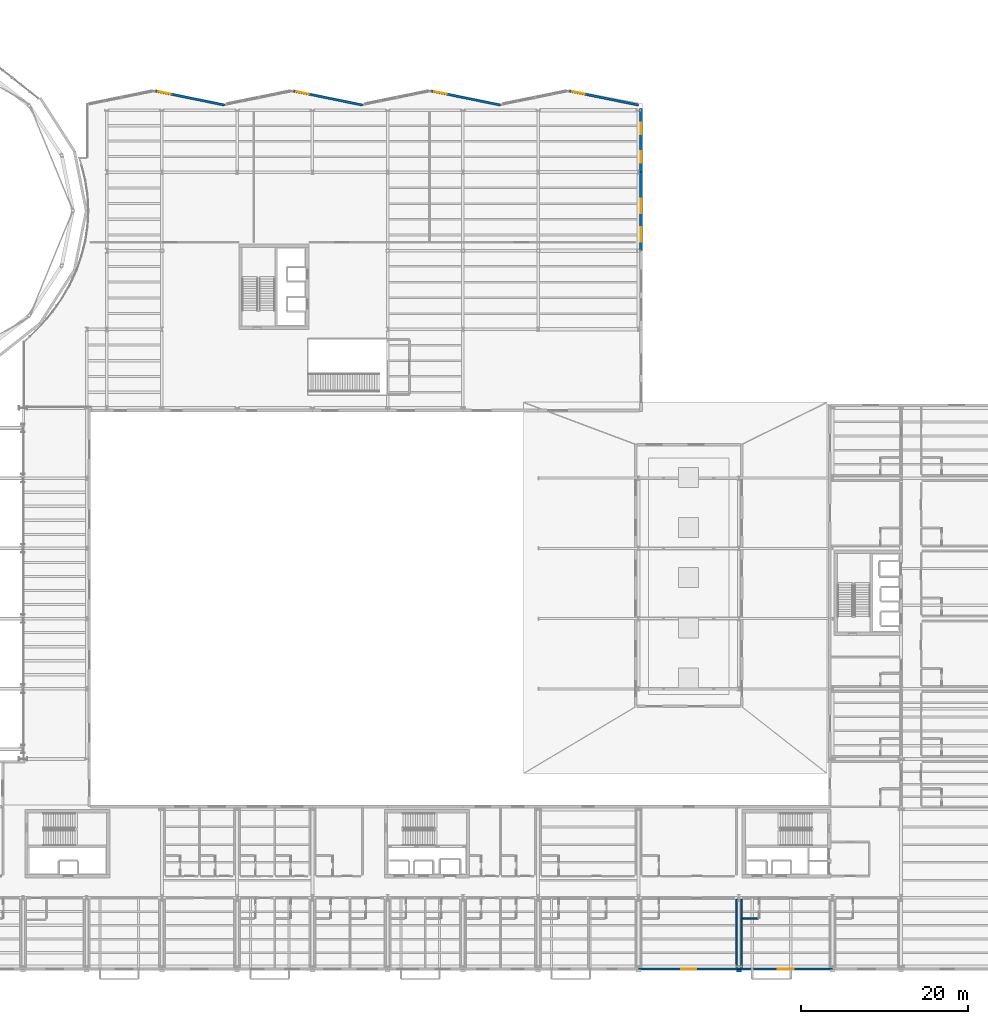
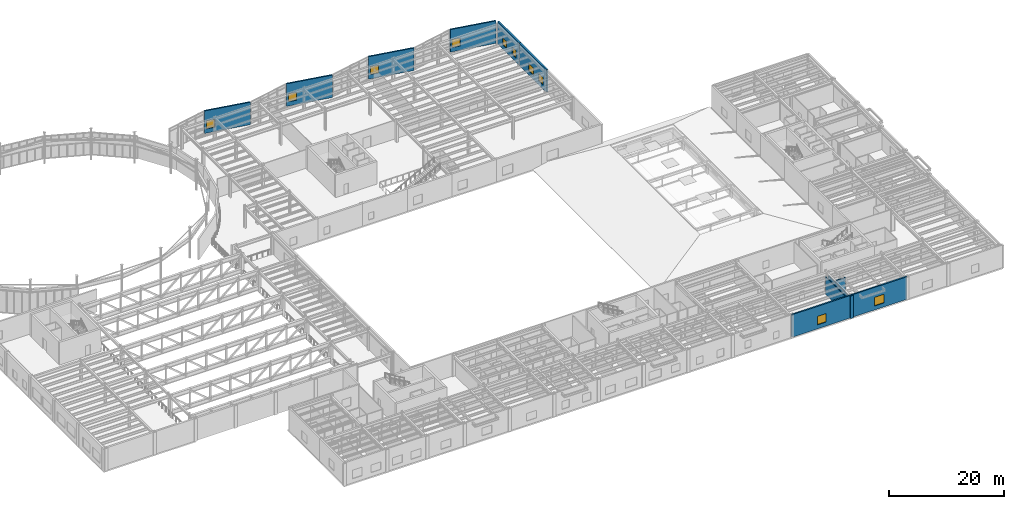
# One storey, part 76 of 91: 12 walls, 10 windows, 10 openings.
"""IFC4 building model written with IfcOpenShell, lengths in metres."""

from ifc_helpers import new_model, si_unit, direction, frame, frame_2d, origin, place, context, subcontext, project, spatial, rectangle, extrude, material, layer, layer_set, type_object, element, fill, save


model = new_model("IFC4")

# Units and contexts
model_context = context("Model", 3, precision=1e-05, world=origin(), true_north=direction((0.0, 1.0)))
body_context = subcontext(model_context, "Body", "Model", "MODEL_VIEW")
ifc_project = project(units=[si_unit("LENGTHUNIT", "METRE"), si_unit("AREAUNIT", "SQUARE_METRE"), si_unit("VOLUMEUNIT", "CUBIC_METRE"), si_unit("PLANEANGLEUNIT", "RADIAN"), si_unit("MASSUNIT", "GRAM", prefix="KILO")], contexts=[model_context])

# Site, building, storey
site_placement = place(None, origin())
site = spatial("IfcSite", under=ifc_project, at=site_placement, CompositionType="ELEMENT")
building_placement = place(site_placement, origin())
building = spatial("IfcBuilding", under=site, at=building_placement, Name="Sollismere Congress Hotel", CompositionType="ELEMENT")
storey_placement = place(building_placement, frame((0.0, 0.0, 10.800048828125)))
storey = spatial("IfcBuildingStorey", under=building, at=storey_placement, Name="L02", CompositionType="ELEMENT", Elevation=10.800048828125)

# Wall, opening, window
ifc_material_1 = material(Name="Colorado Buff Sandstone Rainscreen on Insulated Backup", Category="masonry")
ifc_layer_1 = layer(ifc_material_1, 0.284912109375, Name="Colorado Buff Sandstone Rainscreen on Insulated Backup")
ifc_layer_set_1 = layer_set([ifc_layer_1], Name="Colorado Buff Sandstone Rainscreen on Insulated Backup")
wall_type_1 = type_object("IfcWallType", Name="WL-EXT285", PredefinedType="STANDARD", material=ifc_layer_set_1)
wall_1_placement = place(storey_placement, frame((66.25, 104.698486328125, 0.0), z_axis=(0.0, 0.0, 1.0), x_axis=(0.979925045119, -0.199366260807, 0.0)))
wall_1 = element("IfcWall", 1, at=wall_1_placement, inside=storey, type_object=wall_type_1, Name="Exterior wall EW-L02-041", PredefinedType="STANDARD", context=body_context, shape_type="SweptSolid", body=[
    extrude(rectangle(XDim=8.4189453125, YDim=0.284912109375, at=frame_2d((4.20947265625, 0.0))), origin(), (0.0, 0.0, 1.0), 4.800048828125),
])
opening_1_placement = place(wall_1_placement, frame((0.35009765625, 0.0, 0.89990234375)))
opening_1 = element("IfcOpeningElement", 2, at=opening_1_placement, cuts=wall_1, Name="Opening W-L02-031", PredefinedType="OPENING", context=body_context, shape_type="SweptSolid", body=[
    extrude(rectangle(XDim=1.5, YDim=1.699951171875, at=frame_2d((0.75, 0.85009765625))), frame((0.0, 0.15234375, 0.0), z_axis=(0.0, -1.0, 0.0), x_axis=(1.0, 0.0, 0.0)), (0.0, 0.0, 1.0), 0.304931640625),
])
ifc_material_2 = material(Name="Thermally Broken Bronze Aluminum & Low-E Glass", Category="aluminium")
window_type_1 = type_object("IfcWindowType", Name="WN-P150x170", PartitioningType="SINGLE_PANEL", PredefinedType="WINDOW", material=ifc_material_2)
window_1_placement = place(opening_1_placement, origin())
window_1 = element("IfcWindow", 3, at=window_1_placement, inside=storey, type_object=window_type_1, Name="WIN-W-L02-031", OverallHeight=1.699951171875, OverallWidth=1.5, PartitioningType="SINGLE_PANEL", PredefinedType="WINDOW", context=body_context, shape_type="SweptSolid", body=[
    extrude(rectangle(XDim=1.5, YDim=1.699951171875, at=frame_2d((0.75, 0.85009765625))), frame((0.0, 0.030029296875, 0.0), z_axis=(0.0, -1.0, 0.0), x_axis=(1.0, 0.0, 0.0)), (0.0, 0.0, 1.0), 0.06005859375),
])
fill(opening_1, window_1)

wall_2_placement = place(storey_placement, frame((82.75, 104.698486328125, 0.0), z_axis=(0.0, 0.0, 1.0), x_axis=(0.979925045119, -0.199366260807, 0.0)))
wall_2 = element("IfcWall", 4, at=wall_2_placement, inside=storey, type_object=wall_type_1, Name="Exterior wall EW-L02-042", PredefinedType="STANDARD", context=body_context, shape_type="SweptSolid", body=[
    extrude(rectangle(XDim=8.4189453125, YDim=0.284912109375, at=frame_2d((4.20947265625, 0.0))), origin(), (0.0, 0.0, 1.0), 4.800048828125),
])
opening_2_placement = place(wall_2_placement, frame((0.35009765625, 0.0, 0.89990234375)))
opening_2 = element("IfcOpeningElement", 5, at=opening_2_placement, cuts=wall_2, Name="Opening W-L02-032", PredefinedType="OPENING", context=body_context, shape_type="SweptSolid", body=[
    extrude(rectangle(XDim=1.5, YDim=1.699951171875, at=frame_2d((0.75, 0.85009765625))), frame((0.0, 0.15234375, 0.0), z_axis=(0.0, -1.0, 0.0), x_axis=(1.0, 0.0, 0.0)), (0.0, 0.0, 1.0), 0.304931640625),
])
window_2_placement = place(opening_2_placement, origin())
window_2 = element("IfcWindow", 6, at=window_2_placement, inside=storey, type_object=window_type_1, Name="WIN-W-L02-032", OverallHeight=1.699951171875, OverallWidth=1.5, PartitioningType="SINGLE_PANEL", PredefinedType="WINDOW", context=body_context, shape_type="SweptSolid", body=[
    extrude(rectangle(XDim=1.5, YDim=1.699951171875, at=frame_2d((0.75, 0.85009765625))), frame((0.0, 0.030029296875, 0.0), z_axis=(0.0, -1.0, 0.0), x_axis=(1.0, 0.0, 0.0)), (0.0, 0.0, 1.0), 0.06005859375),
])
fill(opening_2, window_2)

wall_3_placement = place(storey_placement, frame((99.25, 104.698486328125, 0.0), z_axis=(0.0, 0.0, 1.0), x_axis=(0.979925045119, -0.199366260807, 0.0)))
wall_3 = element("IfcWall", 7, at=wall_3_placement, inside=storey, type_object=wall_type_1, Name="Exterior wall EW-L02-043", PredefinedType="STANDARD", context=body_context, shape_type="SweptSolid", body=[
    extrude(rectangle(XDim=8.4189453125, YDim=0.284912109375, at=frame_2d((4.20947265625, 0.0))), origin(), (0.0, 0.0, 1.0), 4.800048828125),
])
opening_3_placement = place(wall_3_placement, frame((0.35009765625, 0.0, 0.89990234375)))
opening_3 = element("IfcOpeningElement", 8, at=opening_3_placement, cuts=wall_3, Name="Opening W-L02-033", PredefinedType="OPENING", context=body_context, shape_type="SweptSolid", body=[
    extrude(rectangle(XDim=1.5, YDim=1.699951171875, at=frame_2d((0.75, 0.85009765625))), frame((0.0, 0.15234375, 0.0), z_axis=(0.0, -1.0, 0.0), x_axis=(1.0, 0.0, 0.0)), (0.0, 0.0, 1.0), 0.304931640625),
])
window_3_placement = place(opening_3_placement, origin())
window_3 = element("IfcWindow", 9, at=window_3_placement, inside=storey, type_object=window_type_1, Name="WIN-W-L02-033", OverallHeight=1.699951171875, OverallWidth=1.5, PartitioningType="SINGLE_PANEL", PredefinedType="WINDOW", context=body_context, shape_type="SweptSolid", body=[
    extrude(rectangle(XDim=1.5, YDim=1.699951171875, at=frame_2d((0.75, 0.85009765625))), frame((0.0, 0.030029296875, 0.0), z_axis=(0.0, -1.0, 0.0), x_axis=(1.0, 0.0, 0.0)), (0.0, 0.0, 1.0), 0.06005859375),
])
fill(opening_3, window_3)

wall_4_placement = place(storey_placement, frame((115.75, 104.698486328125, 0.0), z_axis=(0.0, 0.0, 1.0), x_axis=(0.979925045119, -0.199366260807, 0.0)))
wall_4 = element("IfcWall", 10, at=wall_4_placement, inside=storey, type_object=wall_type_1, Name="Exterior wall EW-L02-044", PredefinedType="STANDARD", context=body_context, shape_type="SweptSolid", body=[
    extrude(rectangle(XDim=8.4189453125, YDim=0.284912109375, at=frame_2d((4.20947265625, 0.0))), origin(), (0.0, 0.0, 1.0), 4.800048828125),
])
opening_4_placement = place(wall_4_placement, frame((0.35009765625, 0.0, 0.89990234375)))
opening_4 = element("IfcOpeningElement", 11, at=opening_4_placement, cuts=wall_4, Name="Opening W-L02-034", PredefinedType="OPENING", context=body_context, shape_type="SweptSolid", body=[
    extrude(rectangle(XDim=1.5, YDim=1.699951171875, at=frame_2d((0.75, 0.85009765625))), frame((0.0, 0.15234375, 0.0), z_axis=(0.0, -1.0, 0.0), x_axis=(1.0, 0.0, 0.0)), (0.0, 0.0, 1.0), 0.304931640625),
])
window_4_placement = place(opening_4_placement, origin())
window_4 = element("IfcWindow", 12, at=window_4_placement, inside=storey, type_object=window_type_1, Name="WIN-W-L02-034", OverallHeight=1.699951171875, OverallWidth=1.5, PartitioningType="SINGLE_PANEL", PredefinedType="WINDOW", context=body_context, shape_type="SweptSolid", body=[
    extrude(rectangle(XDim=1.5, YDim=1.699951171875, at=frame_2d((0.75, 0.85009765625))), frame((0.0, 0.030029296875, 0.0), z_axis=(0.0, -1.0, 0.0), x_axis=(1.0, 0.0, 0.0)), (0.0, 0.0, 1.0), 0.06005859375),
])
fill(opening_4, window_4)

wall_5_placement = place(storey_placement, frame((124.0, -0.31005859375, 0.0), z_axis=(0.0, 0.0, 1.0), x_axis=(1.0, 0.0, 0.0)))
wall_5 = element("IfcWall", 13, at=wall_5_placement, inside=storey, type_object=wall_type_1, Name="Exterior wall EW-L02-346", PredefinedType="STANDARD", context=body_context, shape_type="SweptSolid", body=[
    extrude(rectangle(XDim=12.0, YDim=0.284912109375, at=frame_2d((6.0, 0.0))), origin(), (0.0, 0.0, 1.0), 4.800048828125),
])
opening_5_placement = place(wall_5_placement, frame((5.10009765625, 0.0, 0.85009765625)))
opening_5 = element("IfcOpeningElement", 14, at=opening_5_placement, cuts=wall_5, Name="Opening W-L02-279", PredefinedType="OPENING", context=body_context, shape_type="SweptSolid", body=[
    extrude(rectangle(XDim=1.800048828125, YDim=1.800048828125, at=frame_2d((0.89990234375, 0.89990234375))), frame((0.0, 0.15234375, 0.0), z_axis=(0.0, -1.0, 0.0), x_axis=(1.0, 0.0, 0.0)), (0.0, 0.0, 1.0), 0.304931640625),
])
window_type_2 = type_object("IfcWindowType", Name="WN-P180x180", PartitioningType="SINGLE_PANEL", PredefinedType="WINDOW", material=ifc_material_2)
window_5_placement = place(opening_5_placement, origin())
window_5 = element("IfcWindow", 15, at=window_5_placement, inside=storey, type_object=window_type_2, Name="WIN-W-L02-279", OverallHeight=1.800048828125, OverallWidth=1.800048828125, PartitioningType="SINGLE_PANEL", PredefinedType="WINDOW", context=body_context, shape_type="SweptSolid", body=[
    extrude(rectangle(XDim=1.800048828125, YDim=1.800048828125, at=frame_2d((0.89990234375, 0.89990234375))), frame((0.0, 0.030029296875, 0.0), z_axis=(0.0, -1.0, 0.0), x_axis=(1.0, 0.0, 0.0)), (0.0, 0.0, 1.0), 0.06005859375),
])
fill(opening_5, window_5)

wall_6_placement = place(storey_placement, frame((136.0, -0.31005859375, 0.0), z_axis=(0.0, 0.0, 1.0), x_axis=(1.0, 0.0, 0.0)))
wall_6 = element("IfcWall", 16, at=wall_6_placement, inside=storey, type_object=wall_type_1, Name="Exterior wall EW-L02-348", PredefinedType="STANDARD", context=body_context, shape_type="SweptSolid", body=[
    extrude(rectangle(XDim=11.199951171875, YDim=0.284912109375, at=frame_2d((5.60009765625, 0.0))), origin(), (0.0, 0.0, 1.0), 4.800048828125),
])
opening_6_placement = place(wall_6_placement, frame((4.625, 0.0, 0.85009765625)))
opening_6 = element("IfcOpeningElement", 17, at=opening_6_placement, cuts=wall_6, Name="Opening W-L02-280", PredefinedType="OPENING", context=body_context, shape_type="SweptSolid", body=[
    extrude(rectangle(XDim=1.949951171875, YDim=1.85009765625, at=frame_2d((0.97509765625, 0.925048828125))), frame((0.0, 0.15234375, 0.0), z_axis=(0.0, -1.0, 0.0), x_axis=(1.0, 0.0, 0.0)), (0.0, 0.0, 1.0), 0.304931640625),
])
window_type_3 = type_object("IfcWindowType", Name="WN-P195x185", PartitioningType="SINGLE_PANEL", PredefinedType="WINDOW", material=ifc_material_2)
window_6_placement = place(opening_6_placement, origin())
window_6 = element("IfcWindow", 18, at=window_6_placement, inside=storey, type_object=window_type_3, Name="WIN-W-L02-280", OverallHeight=1.85009765625, OverallWidth=1.949951171875, PartitioningType="SINGLE_PANEL", PredefinedType="WINDOW", context=body_context, shape_type="SweptSolid", body=[
    extrude(rectangle(XDim=1.949951171875, YDim=1.85009765625, at=frame_2d((0.97509765625, 0.925048828125))), frame((0.0, 0.030029296875, 0.0), z_axis=(0.0, -1.0, 0.0), x_axis=(1.0, 0.0, 0.0)), (0.0, 0.0, 1.0), 0.06005859375),
])
fill(opening_6, window_6)

# Wall, openings, windows
ifc_material_3 = material(Name="Colorado Buff Sandstone and Limestone Backup C40/50", Category="masonry")
ifc_layer_2 = layer(ifc_material_3, 0.340087890625, Name="Colorado Buff Sandstone and Limestone Backup C40/50")
ifc_layer_set_2 = layer_set([ifc_layer_2], Name="Colorado Buff Sandstone and Limestone Backup C40/50")
wall_type_2 = type_object("IfcWallType", Name="WL-EXT340", PredefinedType="STANDARD", material=ifc_layer_set_2)
wall_7_placement = place(storey_placement, frame((124.31005859375, 85.60009765625, 0.0), z_axis=(0.0, 0.0, 1.0), x_axis=(0.0, 1.0, 0.0)))
wall_7 = element("IfcWall", 19, at=wall_7_placement, inside=storey, type_object=wall_type_2, Name="Exterior wall EW-L02-047", PredefinedType="STANDARD", context=body_context, shape_type="SweptSolid", body=[
    extrude(rectangle(XDim=9.39990234375, YDim=0.340087890625, at=frame_2d((4.699951171875, 0.0))), origin(), (0.0, 0.0, 1.0), 4.800048828125),
])
opening_7_placement = place(wall_7_placement, frame((1.10009765625, 0.0, 0.85009765625)))
opening_7 = element("IfcOpeningElement", 20, at=opening_7_placement, cuts=wall_7, Name="Opening W-L02-039", PredefinedType="OPENING", context=body_context, shape_type="SweptSolid", body=[
    extrude(rectangle(XDim=1.699951171875, YDim=1.60009765625, at=frame_2d((0.85009765625, 0.800048828125))), frame((0.0, 0.179931640625, 0.0), z_axis=(0.0, -1.0, 0.0), x_axis=(1.0, 0.0, 0.0)), (0.0, 0.0, 1.0), 0.360107421875),
])
opening_8_placement = place(wall_7_placement, frame((4.5, 0.0, 0.85009765625)))
opening_8 = element("IfcOpeningElement", 21, at=opening_8_placement, cuts=wall_7, Name="Opening W-L02-040", PredefinedType="OPENING", context=body_context, shape_type="SweptSolid", body=[
    extrude(rectangle(XDim=1.699951171875, YDim=1.60009765625, at=frame_2d((0.85009765625, 0.800048828125))), frame((0.0, 0.179931640625, 0.0), z_axis=(0.0, -1.0, 0.0), x_axis=(1.0, 0.0, 0.0)), (0.0, 0.0, 1.0), 0.360107421875),
])
window_type_4 = type_object("IfcWindowType", Name="WN-P170x160", PartitioningType="SINGLE_PANEL", PredefinedType="WINDOW", material=ifc_material_2)
window_7_placement = place(opening_7_placement, origin())
window_7 = element("IfcWindow", 22, at=window_7_placement, inside=storey, type_object=window_type_4, Name="WIN-W-L02-039", OverallHeight=1.60009765625, OverallWidth=1.699951171875, PartitioningType="SINGLE_PANEL", PredefinedType="WINDOW", context=body_context, shape_type="SweptSolid", body=[
    extrude(rectangle(XDim=1.699951171875, YDim=1.60009765625, at=frame_2d((0.85009765625, 0.800048828125))), frame((0.0, 0.030029296875, 0.0), z_axis=(0.0, -1.0, 0.0), x_axis=(1.0, 0.0, 0.0)), (0.0, 0.0, 1.0), 0.06005859375),
])
fill(opening_7, window_7)
window_8_placement = place(opening_8_placement, origin())
window_8 = element("IfcWindow", 23, at=window_8_placement, inside=storey, type_object=window_type_4, Name="WIN-W-L02-040", OverallHeight=1.60009765625, OverallWidth=1.699951171875, PartitioningType="SINGLE_PANEL", PredefinedType="WINDOW", context=body_context, shape_type="SweptSolid", body=[
    extrude(rectangle(XDim=1.699951171875, YDim=1.60009765625, at=frame_2d((0.85009765625, 0.800048828125))), frame((0.0, 0.030029296875, 0.0), z_axis=(0.0, -1.0, 0.0), x_axis=(1.0, 0.0, 0.0)), (0.0, 0.0, 1.0), 0.06005859375),
])
fill(opening_8, window_8)

wall_8_placement = place(storey_placement, frame((124.31005859375, 95.0, 0.0), z_axis=(0.0, 0.0, 1.0), x_axis=(0.0, 1.0, 0.0)))
wall_8 = element("IfcWall", 24, at=wall_8_placement, inside=storey, type_object=wall_type_2, Name="Exterior wall EW-L02-048", PredefinedType="STANDARD", context=body_context, shape_type="SweptSolid", body=[
    extrude(rectangle(XDim=7.60009765625, YDim=0.340087890625, at=frame_2d((3.800048828125, 0.0))), origin(), (0.0, 0.0, 1.0), 4.800048828125),
])
opening_9_placement = place(wall_8_placement, frame((1.10009765625, 0.0, 0.85009765625)))
opening_9 = element("IfcOpeningElement", 25, at=opening_9_placement, cuts=wall_8, Name="Opening W-L02-041", PredefinedType="OPENING", context=body_context, shape_type="SweptSolid", body=[
    extrude(rectangle(XDim=1.39990234375, YDim=1.550048828125, at=frame_2d((0.699951171875, 0.77490234375))), frame((0.0, 0.179931640625, 0.0), z_axis=(0.0, -1.0, 0.0), x_axis=(1.0, 0.0, 0.0)), (0.0, 0.0, 1.0), 0.360107421875),
])
opening_10_placement = place(wall_8_placement, frame((4.5, 0.0, 0.85009765625)))
opening_10 = element("IfcOpeningElement", 26, at=opening_10_placement, cuts=wall_8, Name="Opening W-L02-042", PredefinedType="OPENING", context=body_context, shape_type="SweptSolid", body=[
    extrude(rectangle(XDim=1.39990234375, YDim=1.550048828125, at=frame_2d((0.699951171875, 0.77490234375))), frame((0.0, 0.179931640625, 0.0), z_axis=(0.0, -1.0, 0.0), x_axis=(1.0, 0.0, 0.0)), (0.0, 0.0, 1.0), 0.360107421875),
])
window_type_5 = type_object("IfcWindowType", Name="WN-P140x155", PartitioningType="SINGLE_PANEL", PredefinedType="WINDOW", material=ifc_material_2)
window_9_placement = place(opening_9_placement, origin())
window_9 = element("IfcWindow", 27, at=window_9_placement, inside=storey, type_object=window_type_5, Name="WIN-W-L02-041", OverallHeight=1.550048828125, OverallWidth=1.39990234375, PartitioningType="SINGLE_PANEL", PredefinedType="WINDOW", context=body_context, shape_type="SweptSolid", body=[
    extrude(rectangle(XDim=1.39990234375, YDim=1.550048828125, at=frame_2d((0.699951171875, 0.77490234375))), frame((0.0, 0.030029296875, 0.0), z_axis=(0.0, -1.0, 0.0), x_axis=(1.0, 0.0, 0.0)), (0.0, 0.0, 1.0), 0.06005859375),
])
fill(opening_9, window_9)
window_10_placement = place(opening_10_placement, origin())
window_10 = element("IfcWindow", 28, at=window_10_placement, inside=storey, type_object=window_type_5, Name="WIN-W-L02-042", OverallHeight=1.550048828125, OverallWidth=1.39990234375, PartitioningType="SINGLE_PANEL", PredefinedType="WINDOW", context=body_context, shape_type="SweptSolid", body=[
    extrude(rectangle(XDim=1.39990234375, YDim=1.550048828125, at=frame_2d((0.699951171875, 0.77490234375))), frame((0.0, 0.030029296875, 0.0), z_axis=(0.0, -1.0, 0.0), x_axis=(1.0, 0.0, 0.0)), (0.0, 0.0, 1.0), 0.06005859375),
])
fill(opening_10, window_10)

# Walls
ifc_material_4 = material(Name="Carved Travertine Pilaster & Frieze Assembly", Category="masonry")
ifc_layer_3 = layer(ifc_material_4, 0.260009765625, Name="Carved Travertine Pilaster & Frieze Assembly")
ifc_layer_set_3 = layer_set([ifc_layer_3], Name="Carved Travertine Pilaster & Frieze Assembly")
wall_type_3 = type_object("IfcWallType", Name="WL-PIL280", PredefinedType="ELEMENTEDWALL", material=ifc_layer_set_3)
wall_9_placement = place(storey_placement, frame((135.699951171875, -0.52001953125, 0.0), z_axis=(0.0, 0.0, 1.0), x_axis=(1.0, 0.0, 0.0)))
element("IfcWall", 29, at=wall_9_placement, inside=storey, type_object=wall_type_3, Name="Exterior wall EW-L02-349", PredefinedType="ELEMENTEDWALL", context=body_context, shape_type="SweptSolid", body=[
    extrude(rectangle(XDim=0.60009765625, YDim=0.260009765625, at=frame_2d((0.300048828125, 0.0))), origin(), (0.0, 0.0, 1.0), 4.800048828125),
])
ifc_material_5 = material(Name="Moisture-Resistant Shaft Gypsum Assembly")
ifc_layer_4 = layer(ifc_material_5, 0.199951171875, Name="Moisture-Resistant Shaft Gypsum Assembly")
ifc_layer_set_4 = layer_set([ifc_layer_4], Name="Moisture-Resistant Shaft Gypsum Assembly")
wall_type_4 = type_object("IfcWallType", Name="WL-PLM200", PredefinedType="PLUMBINGWALL", material=ifc_layer_set_4)
wall_10_placement = place(storey_placement, frame((136.419921875, 5.75, 0.0), z_axis=(0.0, 0.0, 1.0), x_axis=(1.0, 0.0, 0.0)))
element("IfcWall", 30, at=wall_10_placement, inside=storey, type_object=wall_type_4, Name="Interior wall IW-L02-1126", PredefinedType="PLUMBINGWALL", context=body_context, shape_type="SweptSolid", body=[
    extrude(rectangle(XDim=1.91015625, YDim=0.199951171875, at=frame_2d((0.955078125, 0.0))), origin(), (0.0, 0.0, 1.0), 4.02783203125),
])
ifc_material_6 = material(Name="Fire-Rated Acoustic Gypsum Partition")
ifc_layer_5 = layer(ifc_material_6, 0.1650390625, Name="Fire-Rated Acoustic Gypsum Partition")
ifc_layer_set_5 = layer_set([ifc_layer_5], Name="Fire-Rated Acoustic Gypsum Partition")
wall_type_5 = type_object("IfcWallType", Name="WL-PRT165R", PredefinedType="PARTITIONING", material=ifc_layer_set_5)
for number, where, z_axis, x_axis, name in (
    (31, (135.699951171875, -0.152587890625, 0.0), (0.0, 0.0, 1.0), (0.0, 1.0, 0.0), "Interior wall IW-L02-1112"),
    (32, (136.300048828125, -0.152587890625, 0.0), (0.0, 0.0, 1.0), (0.0, 1.0, 0.0), "Interior wall IW-L02-1123"),
):
    element("IfcWall", number, at=place(storey_placement, frame(where, z_axis=z_axis, x_axis=x_axis)), inside=storey, type_object=wall_type_5, Name=name, PredefinedType="PARTITIONING", context=body_context, shape_type="SweptSolid", body=[
        extrude(rectangle(XDim=8.212646484375, YDim=0.1650390625, at=frame_2d((4.1064453125, 0.0))), origin(), (0.0, 0.0, 1.0), 3.712890625),
    ])

save(model, "model.ifc")
